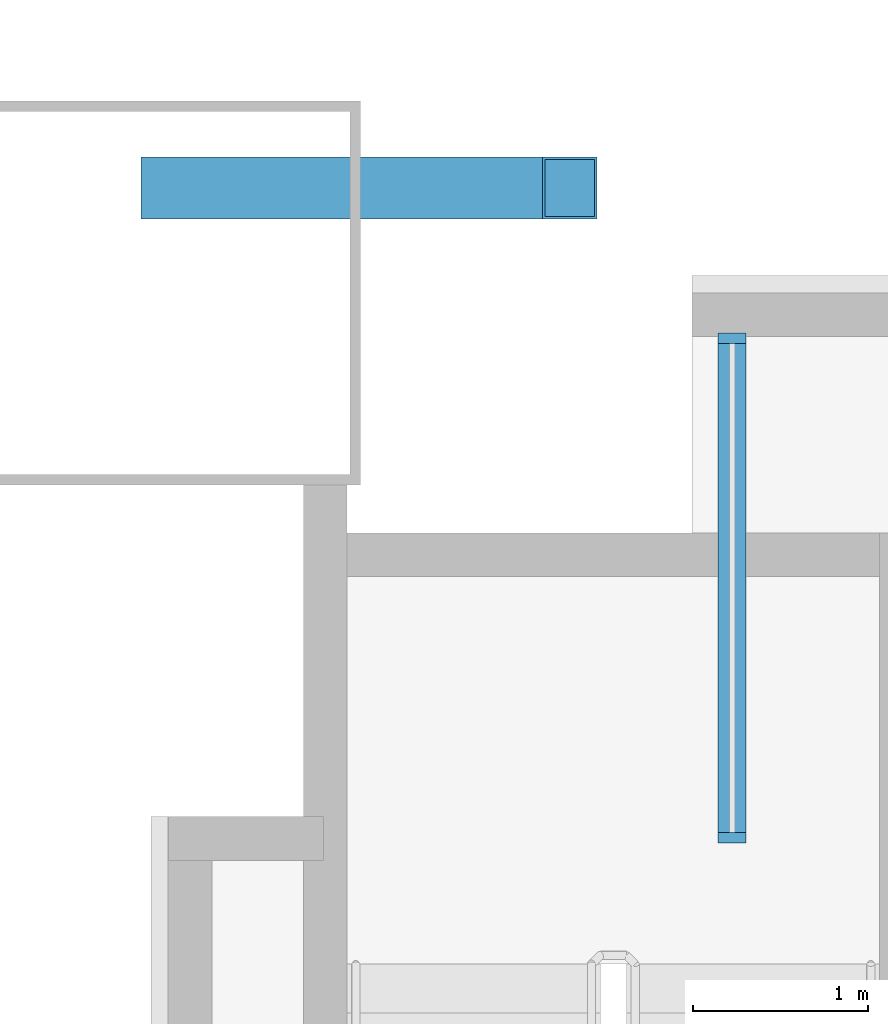
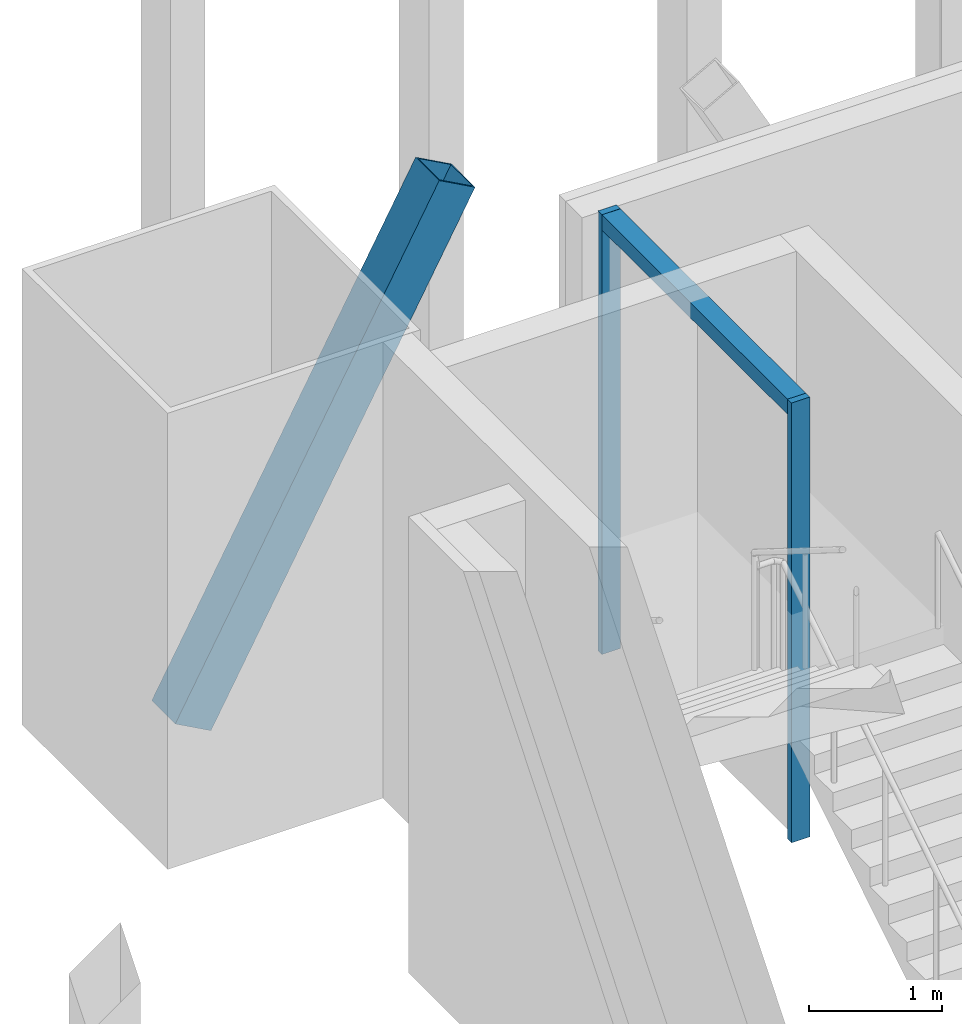
# One storey, part 9 of 28: 4 members, 1 element without a shape of its own.
"""IFC4 building model written with IfcOpenShell, lengths in metres."""

from ifc_helpers import new_model, si_unit, direction, frame, origin, origin_2d, place, context, subcontext, project, spatial, rectangle, hollow_rectangle, extrude, material, material_profile, profile_set, type_object, element, aggregate, save


model = new_model("IFC4")

# Units and contexts
model_context = context("Model", 3, precision=1e-05, world=origin(), true_north=direction((0.0, 1.0)))
body_context = subcontext(model_context, "Body", "Model", "MODEL_VIEW")
ifc_project = project(units=[si_unit("LENGTHUNIT", "METRE"), si_unit("AREAUNIT", "SQUARE_METRE"), si_unit("VOLUMEUNIT", "CUBIC_METRE"), si_unit("PLANEANGLEUNIT", "RADIAN"), si_unit("MASSUNIT", "GRAM", prefix="KILO")], contexts=[model_context])

# Site, building, storey
site_placement = place(None, origin())
site = spatial("IfcSite", under=ifc_project, at=site_placement, CompositionType="ELEMENT")
building_placement = place(site_placement, origin())
building = spatial("IfcBuilding", under=site, at=building_placement, Name="Bicima Exchange Tower", CompositionType="ELEMENT")
storey_placement = place(building_placement, frame((0.0, 0.0, 241.39990234375)))
storey = spatial("IfcBuildingStorey", under=building, at=storey_placement, Name="L54", CompositionType="ELEMENT", Elevation=241.39990234375)

# Curtain wall, members
ifc_material_1 = material(Name="Anodised bronze aluminium", Category="aluminium")
curtain_wall_type = type_object("IfcCurtainWallType", Name="Front glass wall", PredefinedType="NOTDEFINED", material=ifc_material_1)
curtain_wall_placement = place(storey_placement, origin())
curtain_wall = element("IfcCurtainWall", 1, at=curtain_wall_placement, inside=storey, type_object=curtain_wall_type, Name="Front glass wall L54 run 5", PredefinedType="NOTDEFINED")
ifc_material_profile_1 = material_profile(ifc_material_1, rectangle(XDim=0.159912109375, YDim=0.06005859375, at=origin_2d()))
ifc_profile_set_1 = profile_set([ifc_material_profile_1], Name="Anodised bronze aluminium")
member_type_1 = type_object("IfcMemberType", Name="Front glass wall mullion 60 x 160", PredefinedType="MULLION", material=ifc_profile_set_1)
member_1_placement = place(storey_placement, frame((-29.77001953125, -3.260009765625, 0.0), z_axis=(0.0, 0.0, 1.0), x_axis=(1.0, 0.0, 0.0)))
member_1 = element("IfcMember", 2, at=member_1_placement, type_object=member_type_1, Name="Front glass wall mullion 1", PredefinedType="MULLION", context=body_context, shape_type="SweptSolid", body=[
    extrude(rectangle(XDim=0.159912109375, YDim=0.06005859375, at=origin_2d()), origin(), (0.0, 0.0, 1.0), 4.050048828125),
])
member_2_placement = place(storey_placement, frame((-29.77001953125, -6.1201171875, 0.0), z_axis=(0.0, 0.0, 1.0), x_axis=(1.0, 0.0, 0.0)))
member_2 = element("IfcMember", 3, at=member_2_placement, type_object=member_type_1, Name="Front glass wall mullion 2", PredefinedType="MULLION", context=body_context, shape_type="SweptSolid", body=[
    extrude(rectangle(XDim=0.159912109375, YDim=0.06005859375, at=origin_2d()), origin(), (0.0, 0.0, 1.0), 4.050048828125),
])
ifc_material_profile_2 = material_profile(ifc_material_1, rectangle(XDim=0.159912109375, YDim=0.139892578125, at=origin_2d()))
ifc_profile_set_2 = profile_set([ifc_material_profile_2], Name="Anodised bronze aluminium")
member_type_2 = type_object("IfcMemberType", Name="Front glass wall transom 140 x 160", PredefinedType="USERDEFINED", material=ifc_profile_set_2)
member_3_placement = place(storey_placement, frame((-29.77001953125, -3.2900390625, 3.97998046875), z_axis=(0.0, -1.0, 0.0), x_axis=(1.0, 0.0, 0.0)))
member_3 = element("IfcMember", 4, at=member_3_placement, type_object=member_type_2, Name="Front glass wall transom 1.1", ObjectType="TRANSOM", PredefinedType="USERDEFINED", context=body_context, shape_type="SweptSolid", body=[
    extrude(rectangle(XDim=0.159912109375, YDim=0.139892578125, at=origin_2d()), origin(), (0.0, 0.0, 1.0), 2.800048828125),
])
aggregate(curtain_wall, [member_1, member_2, member_3])

# Member
ifc_material_2 = material(Name="Steel ASTM A572 Gr 50", Category="steel")
ifc_material_profile_3 = material_profile(ifc_material_2, hollow_rectangle(XDim=0.355712890625, YDim=0.355712890625, WallThickness=0.0146484375, at=origin_2d()))
ifc_profile_set_3 = profile_set([ifc_material_profile_3], Name="Steel ASTM A572 Gr 50")
member_type_3 = type_object("IfcMemberType", Name="Mega brace HSS14x14x5/8", PredefinedType="BRACE", material=ifc_profile_set_3)
member_4_placement = place(storey_placement, frame((-33.0, -2.39990234375, 0.0), z_axis=(0.480305284586, 0.0, 0.877101381597), x_axis=(0.0, 1.0, 0.0)))
element("IfcMember", 5, at=member_4_placement, inside=storey, type_object=member_type_3, Name="Mega brace rear", PredefinedType="BRACE", context=body_context, shape_type="SweptSolid", body=[
    extrude(hollow_rectangle(XDim=0.355712890625, YDim=0.355712890625, WallThickness=0.0146484375, at=origin_2d()), origin(), (0.0, 0.0, 1.0), 4.788818359375),
])

save(model, "model.ifc")
